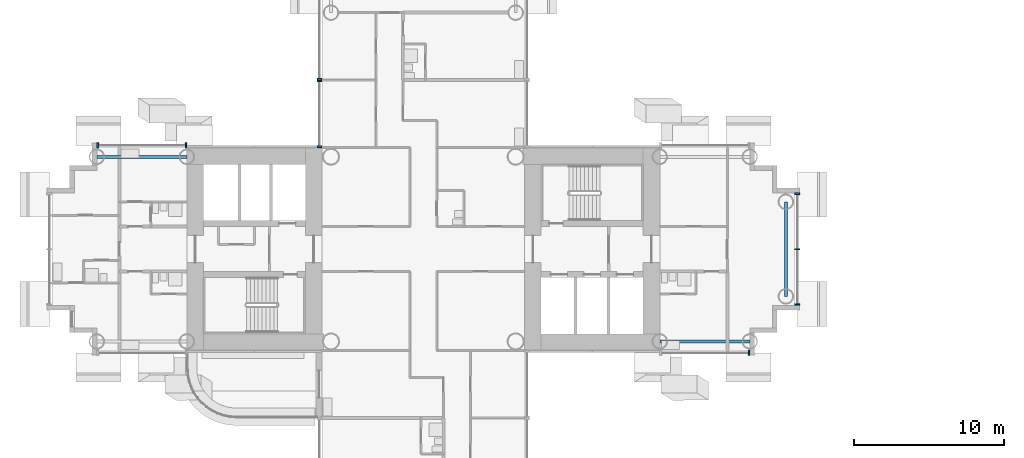
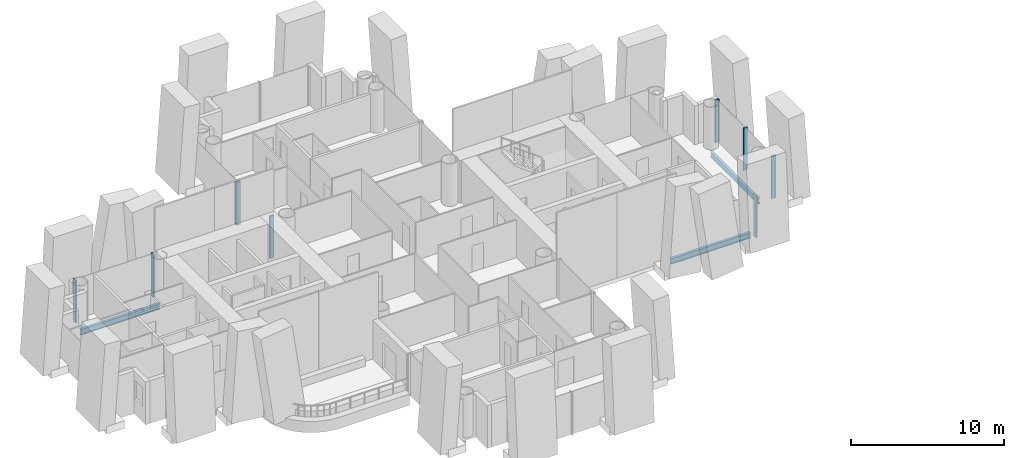
# One storey, part 4 of 24: 9 members, 3 beams, 5 elements without a shape of their own.
"""IFC4 building model written with IfcOpenShell, lengths in metres."""

from ifc_helpers import new_model, si_unit, direction, frame, origin, origin_2d, place, context, subcontext, project, spatial, rectangle, i_section, extrude, material, layer, layer_set, material_profile, profile_set, type_object, element, aggregate, save


model = new_model("IFC4")

# Units and contexts
model_context = context("Model", 3, precision=1e-05, world=origin(), true_north=direction((0.0, 1.0)))
body_context = subcontext(model_context, "Body", "Model", "MODEL_VIEW")
ifc_project = project(units=[si_unit("LENGTHUNIT", "METRE"), si_unit("AREAUNIT", "SQUARE_METRE"), si_unit("VOLUMEUNIT", "CUBIC_METRE"), si_unit("PLANEANGLEUNIT", "RADIAN"), si_unit("MASSUNIT", "GRAM", prefix="KILO")], contexts=[model_context])

# Site, building, storey
site_placement = place(None, origin())
site = spatial("IfcSite", under=ifc_project, at=site_placement, CompositionType="ELEMENT")
building_placement = place(site_placement, origin())
building = spatial("IfcBuilding", under=site, at=building_placement, Name="Ipe Terrace Towers", CompositionType="ELEMENT")
storey_placement = place(building_placement, frame((0.0, 0.0, 38.10009765625)))
storey = spatial("IfcBuildingStorey", under=building, at=storey_placement, Name="L09", CompositionType="ELEMENT", Elevation=38.10009765625)

# Beams
ifc_material_1 = material(Name="Steel S355", Category="steel")
ifc_material_profile_1 = material_profile(ifc_material_1, i_section(OverallWidth=0.199951171875, OverallDepth=0.449951171875, WebThickness=0.009033203125, FlangeThickness=0.013916015625, at=origin_2d()), Name="H-450x200x9x14")
ifc_profile_set_1 = profile_set([ifc_material_profile_1], Name="Steel S355")
beam_type = type_object("IfcBeamType", Name="H08 EDGE BEAM H-450x200x9x14", PredefinedType="BEAM", material=ifc_profile_set_1)
beam_1_placement = place(storey_placement, frame((-20.25, -6.14990234375, -0.625), z_axis=(1.0, 0.0, 0.0), x_axis=(0.0, 1.0, 0.0)))
element("IfcBeam", 1, at=beam_1_placement, inside=storey, type_object=beam_type, Name="Edge beam T1-EB-A01-A03", PredefinedType="BEAM", context=body_context, shape_type="SweptSolid", body=[
    extrude(i_section(OverallWidth=0.199951171875, OverallDepth=0.449951171875, WebThickness=0.009033203125, FlangeThickness=0.013916015625, at=origin_2d()), origin(), (0.0, 0.0, 1.0), 6.0),
])
beam_2_placement = place(storey_placement, frame((-11.85009765625, -3.14990234375, -0.625), z_axis=(0.0, 1.0, 0.0), x_axis=(-1.0, 0.0, 0.0)))
element("IfcBeam", 2, at=beam_2_placement, inside=storey, type_object=beam_type, Name="Edge beam T1-EB-A05-A06", PredefinedType="BEAM", context=body_context, shape_type="SweptSolid", body=[
    extrude(i_section(OverallWidth=0.199951171875, OverallDepth=0.449951171875, WebThickness=0.009033203125, FlangeThickness=0.013916015625, at=origin_2d()), origin(), (0.0, 0.0, 1.0), 6.2998046875),
])
beam_3_placement = place(storey_placement, frame((-51.75, 6.14990234375, -0.625), z_axis=(-1.0, 0.0, 0.0), x_axis=(0.0, -1.0, 0.0)))
element("IfcBeam", 3, at=beam_3_placement, inside=storey, type_object=beam_type, Name="Edge beam T1-EB-C02-C04", PredefinedType="BEAM", context=body_context, shape_type="SweptSolid", body=[
    extrude(i_section(OverallWidth=0.199951171875, OverallDepth=0.449951171875, WebThickness=0.009033203125, FlangeThickness=0.013916015625, at=origin_2d()), origin(), (0.0, 0.0, 1.0), 6.0),
])

# Curtain wall, member
ifc_material_2 = material(Name="Aluminium alloy 6063-T6", Category="aluminium")
ifc_layer = layer(ifc_material_2, 0.320068359375)
ifc_layer_set = layer_set([ifc_layer], Name="TOWER UNITISED CURTAIN WALL")
curtain_wall_type = type_object("IfcCurtainWallType", Name="TOWER UNITISED CURTAIN WALL", PredefinedType="NOTDEFINED", material=ifc_layer_set)
curtain_wall_1_placement = place(storey_placement, origin())
curtain_wall_1 = element("IfcCurtainWall", 4, at=curtain_wall_1_placement, inside=storey, type_object=curtain_wall_type, Name="T1-CW-L09-20b curtain wall", PredefinedType="NOTDEFINED")
ifc_material_3 = material(Name="Aluminium alloy 6063-T6", Category="aluminium")
ifc_material_profile_2 = material_profile(ifc_material_3, rectangle(XDim=0.320068359375, YDim=0.1201171875, at=origin_2d()), Name="TOWER UNITISED CORNER MULLION 320 x 120")
ifc_profile_set_2 = profile_set([ifc_material_profile_2], Name="Aluminium alloy 6063-T6")
member_type_1 = type_object("IfcMemberType", Name="TOWER UNITISED CORNER MULLION 320 x 120", PredefinedType="MULLION", material=ifc_profile_set_2)
member_1_placement = place(storey_placement, frame((-14.31005859375, -6.909912109375, -0.300048828125), z_axis=(0.0, 0.0, 1.0), x_axis=(0.0, -1.0, 0.0)))
member_1 = element("IfcMember", 5, at=member_1_placement, type_object=member_type_1, Name="T1-CW-L09-20b mullion 2", PredefinedType="MULLION", context=body_context, shape_type="SweptSolid", body=[
    extrude(rectangle(XDim=0.320068359375, YDim=0.1201171875, at=origin_2d()), origin(), (0.0, 0.0, 1.0), 3.39990234375),
])
aggregate(curtain_wall_1, [member_1])

# Curtain wall, members
curtain_wall_2_placement = place(storey_placement, origin())
curtain_wall_2 = element("IfcCurtainWall", 6, at=curtain_wall_2_placement, inside=storey, type_object=curtain_wall_type, Name="T1-CW-L09-25a curtain wall", PredefinedType="NOTDEFINED")
member_2_placement = place(storey_placement, frame((-11.090087890625, -3.68994140625, -0.300048828125), z_axis=(0.0, 0.0, 1.0), x_axis=(1.0, 0.0, 0.0)))
member_2 = element("IfcMember", 7, at=member_2_placement, type_object=member_type_1, Name="T1-CW-L09-25a mullion 1", PredefinedType="MULLION", context=body_context, shape_type="SweptSolid", body=[
    extrude(rectangle(XDim=0.320068359375, YDim=0.1201171875, at=origin_2d()), origin(), (0.0, 0.0, 1.0), 3.39990234375),
])
member_3_placement = place(storey_placement, frame((-11.090087890625, 3.68994140625, -0.300048828125), z_axis=(0.0, 0.0, 1.0), x_axis=(1.0, 0.0, 0.0)))
member_3 = element("IfcMember", 8, at=member_3_placement, type_object=member_type_1, Name="T1-CW-L09-25a mullion 3", PredefinedType="MULLION", context=body_context, shape_type="SweptSolid", body=[
    extrude(rectangle(XDim=0.320068359375, YDim=0.1201171875, at=origin_2d()), origin(), (0.0, 0.0, 1.0), 3.39990234375),
])

# Curtain wall, member
curtain_wall_3_placement = place(storey_placement, origin())
curtain_wall_3 = element("IfcCurtainWall", 9, at=curtain_wall_3_placement, inside=storey, type_object=curtain_wall_type, Name="T1-CW-L09-43a curtain wall", PredefinedType="NOTDEFINED")
member_4_placement = place(storey_placement, frame((-42.909912109375, 11.31005859375, -0.300048828125), z_axis=(0.0, 0.0, 1.0), x_axis=(-1.0, 0.0, 0.0)))
member_4 = element("IfcMember", 10, at=member_4_placement, type_object=member_type_1, Name="T1-CW-L09-43a mullion 2", PredefinedType="MULLION", context=body_context, shape_type="SweptSolid", body=[
    extrude(rectangle(XDim=0.320068359375, YDim=0.1201171875, at=origin_2d()), origin(), (0.0, 0.0, 1.0), 3.39990234375),
])
aggregate(curtain_wall_3, [member_4])

# Curtain wall, members
curtain_wall_4_placement = place(storey_placement, origin())
curtain_wall_4 = element("IfcCurtainWall", 11, at=curtain_wall_4_placement, inside=storey, type_object=curtain_wall_type, Name="T1-CW-L09-44a curtain wall", PredefinedType="NOTDEFINED")
member_5_placement = place(storey_placement, frame((-42.909912109375, 11.18994140625, -0.300048828125), z_axis=(0.0, 0.0, 1.0), x_axis=(-1.0, 0.0, 0.0)))
member_5 = element("IfcMember", 12, at=member_5_placement, type_object=member_type_1, Name="T1-CW-L09-44a mullion 1", PredefinedType="MULLION", context=body_context, shape_type="SweptSolid", body=[
    extrude(rectangle(XDim=0.320068359375, YDim=0.1201171875, at=origin_2d()), origin(), (0.0, 0.0, 1.0), 3.39990234375),
])
member_6_placement = place(storey_placement, frame((-42.909912109375, 6.81005859375, -0.300048828125), z_axis=(0.0, 0.0, 1.0), x_axis=(-1.0, 0.0, 0.0)))
member_6 = element("IfcMember", 13, at=member_6_placement, type_object=member_type_1, Name="T1-CW-L09-44a mullion 2", PredefinedType="MULLION", context=body_context, shape_type="SweptSolid", body=[
    extrude(rectangle(XDim=0.320068359375, YDim=0.1201171875, at=origin_2d()), origin(), (0.0, 0.0, 1.0), 3.39990234375),
])
aggregate(curtain_wall_4, [member_5, member_6])

curtain_wall_5_placement = place(storey_placement, origin())
curtain_wall_5 = element("IfcCurtainWall", 14, at=curtain_wall_5_placement, inside=storey, type_object=curtain_wall_type, Name="T1-CW-L09-46b curtain wall", PredefinedType="NOTDEFINED")
member_7_placement = place(storey_placement, frame((-51.81103515625, 6.909912109375, -0.300048828125), z_axis=(0.0, 0.0, 1.0), x_axis=(0.0, 1.0, 0.0)))
member_7 = element("IfcMember", 15, at=member_7_placement, type_object=member_type_1, Name="T1-CW-L09-46b mullion 1", PredefinedType="MULLION", context=body_context, shape_type="SweptSolid", body=[
    extrude(rectangle(XDim=0.320068359375, YDim=0.1201171875, at=origin_2d()), origin(), (0.0, 0.0, 1.0), 3.39990234375),
])
member_8_placement = place(storey_placement, frame((-57.68994140625, 6.909912109375, -0.300048828125), z_axis=(0.0, 0.0, 1.0), x_axis=(0.0, 1.0, 0.0)))
member_8 = element("IfcMember", 16, at=member_8_placement, type_object=member_type_1, Name="T1-CW-L09-46b mullion 2", PredefinedType="MULLION", context=body_context, shape_type="SweptSolid", body=[
    extrude(rectangle(XDim=0.320068359375, YDim=0.1201171875, at=origin_2d()), origin(), (0.0, 0.0, 1.0), 3.39990234375),
])
aggregate(curtain_wall_5, [member_7, member_8])

# Member
ifc_material_4 = material(Name="Aluminium alloy 6063-T6", Category="aluminium")
ifc_material_profile_3 = material_profile(ifc_material_4, rectangle(XDim=0.320068359375, YDim=0.06494140625, at=origin_2d()), Name="TOWER UNITISED MULLION 320 x 65")
ifc_profile_set_3 = profile_set([ifc_material_profile_3], Name="Aluminium alloy 6063-T6")
member_type_2 = type_object("IfcMemberType", Name="TOWER UNITISED MULLION 320 x 65", PredefinedType="MULLION", material=ifc_profile_set_3)
member_9_placement = place(storey_placement, frame((-11.090087890625, 0.0, -0.300048828125), z_axis=(0.0, 0.0, 1.0), x_axis=(1.0, 0.0, 0.0)))
member_9 = element("IfcMember", 17, at=member_9_placement, type_object=member_type_2, Name="T1-CW-L09-25a mullion 2", PredefinedType="MULLION", context=body_context, shape_type="SweptSolid", body=[
    extrude(rectangle(XDim=0.320068359375, YDim=0.06494140625, at=origin_2d()), origin(), (0.0, 0.0, 1.0), 3.39990234375),
])

aggregate(curtain_wall_2, [member_2, member_9, member_3])

save(model, "model.ifc")
